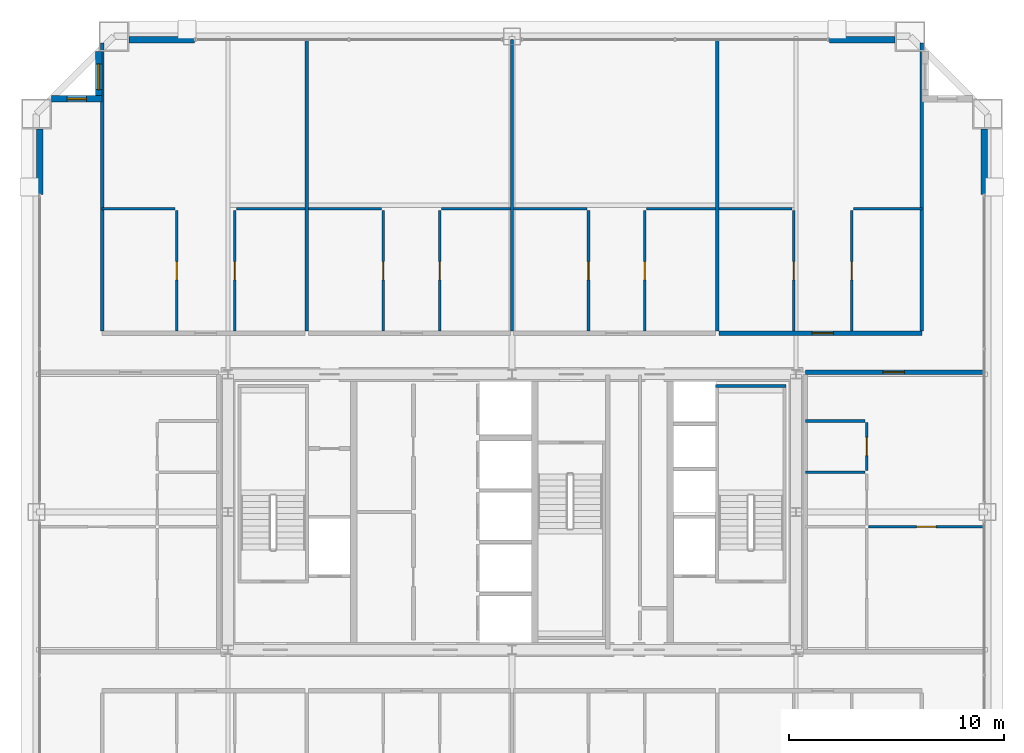
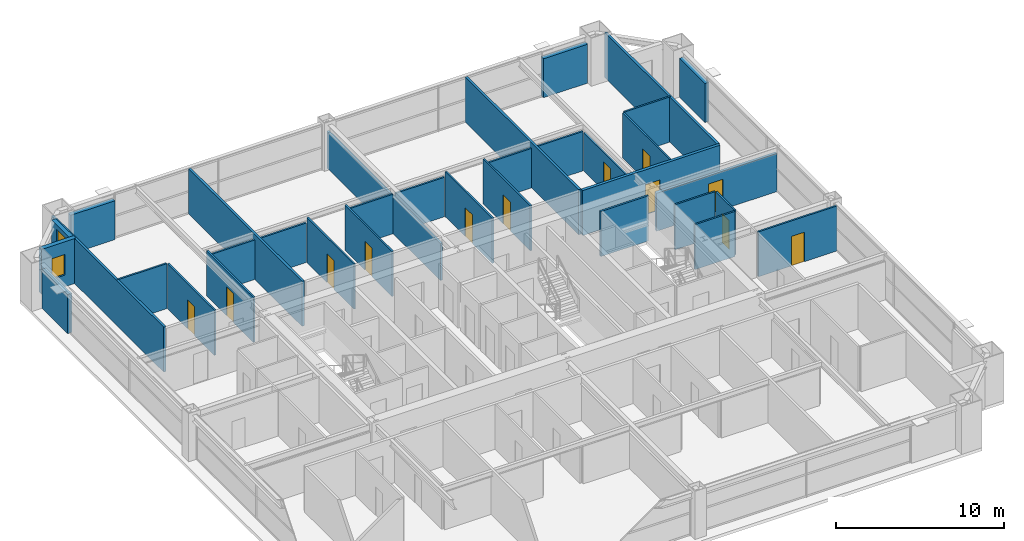
# One storey, part 36 of 38: 34 walls, 12 doors, 2 windows, 14 openings.
"""IFC4 building model written with IfcOpenShell, lengths in metres."""

from ifc_helpers import new_model, si_unit, direction, frame, frame_2d, origin, place, context, subcontext, project, spatial, rectangle, extrude, source, transform, mapped, material, layer, layer_set, type_object, element, fill, save


model = new_model("IFC4")

# Units and contexts
model_context = context("Model", 3, precision=1e-05, world=origin(), true_north=direction((0.0, 1.0)))
body_context = subcontext(model_context, "Body", "Model", "MODEL_VIEW")
ifc_project = project(units=[si_unit("LENGTHUNIT", "METRE"), si_unit("AREAUNIT", "SQUARE_METRE"), si_unit("VOLUMEUNIT", "CUBIC_METRE"), si_unit("PLANEANGLEUNIT", "RADIAN"), si_unit("MASSUNIT", "GRAM", prefix="KILO"), si_unit("THERMODYNAMICTEMPERATUREUNIT", "KELVIN"), si_unit("POWERUNIT", "WATT")], contexts=[model_context])

# Site, building, storey
site_placement = place(None, origin())
site = spatial("IfcSite", under=ifc_project, at=site_placement, CompositionType="ELEMENT")
building_placement = place(site_placement, origin())
building = spatial("IfcBuilding", under=site, at=building_placement, Name="Yuzanri Waterfront Tower", CompositionType="ELEMENT")
storey_placement = place(building_placement, frame((0.0, 0.0, 188.0)))
storey = spatial("IfcBuildingStorey", under=building, at=storey_placement, Name="L49", CompositionType="ELEMENT", Elevation=188.0)

# Wall, opening, door
ifc_material_1 = material(Name="Moisture-Resistant Gypsum Stud Wall", Category="gypsum")
ifc_layer_1 = layer(ifc_material_1, 0.1201171875)
ifc_layer_set_1 = layer_set([ifc_layer_1], Name="Moisture-Resistant Gypsum Stud Wall")
wall_type_1 = type_object("IfcWallType", Name="Bathroom and Kitchen Wet Partition 120", PredefinedType="PARTITIONING", material=ifc_layer_set_1)
wall_1_placement = place(storey_placement, frame((21.419921875, 34.2099609375, 0.0), z_axis=(0.0, 0.0, 1.0), x_axis=(0.0, 1.0, 0.0)))
wall_1 = element("IfcWall", 1, at=wall_1_placement, inside=storey, type_object=wall_type_1, Name="L49 Partition UW-L49-RN1-SUB-1-E", PredefinedType="PARTITIONING", context=body_context, shape_type="SweptSolid", body=[
    extrude(rectangle(XDim=5.610107421875, YDim=0.1201171875, at=frame_2d((2.80517578125, 0.0))), origin(), (0.0, 0.0, 1.0), 3.280029296875),
])
opening_1_placement = place(wall_1_placement, frame((2.3798828125, 0.0, 0.0)))
opening_1 = element("IfcOpeningElement", 2, at=opening_1_placement, cuts=wall_1, Name="Opening ID-0850", PredefinedType="OPENING", context=body_context, shape_type="SweptSolid", body=[
    extrude(rectangle(XDim=0.85009765625, YDim=2.10009765625, at=frame_2d((0.425048828125, 1.050048828125))), frame((0.0, 0.074951171875, 0.0), z_axis=(0.0, -1.0, 0.0), x_axis=(1.0, 0.0, 0.0)), (0.0, 0.0, 1.0), 0.14990234375),
])
ifc_material_2 = material(Name="Moisture-Resistant Lacquered Timber", Category="wood")
door_type_1 = type_object("IfcDoorType", Name="En-Suite Bathroom and Kitchen Swing Door 850x2100", OperationType="NOTDEFINED", PredefinedType="DOOR", material=ifc_material_2)
shared_shape_1 = source(origin(), body_context, "Body", "SweptSolid", [
    extrude(rectangle(XDim=0.85009765625, YDim=2.10009765625, at=frame_2d((0.425048828125, 1.050048828125))), frame((0.0, 0.02490234375, 0.0), z_axis=(0.0, -1.0, 0.0), x_axis=(1.0, 0.0, 0.0)), (0.0, 0.0, 1.0), 0.050048828125),
])
door_1_placement = place(opening_1_placement, origin())
door_1 = element("IfcDoor", 3, at=door_1_placement, inside=storey, type_object=door_type_1, Name="L49 Suite Interior Room Door", OperationType="SINGLE_SWING_LEFT", OverallHeight=2.10009765625, OverallWidth=0.85009765625, PredefinedType="DOOR", context=body_context, shape_type="MappedRepresentation", body=[
    mapped(shared_shape_1, transform((0.0, 0.0, 0.0), scale=1.0)),
])
fill(opening_1, door_1)

wall_2_placement = place(storey_placement, frame((24.110107421875, 34.2099609375, 0.0), z_axis=(0.0, 0.0, 1.0), x_axis=(0.0, 1.0, 0.0)))
wall_2 = element("IfcWall", 4, at=wall_2_placement, inside=storey, type_object=wall_type_1, Name="L49 Partition UW-L49-RN1-SUB-2-W", PredefinedType="PARTITIONING", context=body_context, shape_type="SweptSolid", body=[
    extrude(rectangle(XDim=5.610107421875, YDim=0.1201171875, at=frame_2d((2.80517578125, 0.0))), origin(), (0.0, 0.0, 1.0), 3.280029296875),
])
opening_2_placement = place(wall_2_placement, frame((2.3798828125, 0.0, 0.0)))
opening_2 = element("IfcOpeningElement", 5, at=opening_2_placement, cuts=wall_2, Name="Opening ID-0850", PredefinedType="OPENING", context=body_context, shape_type="SweptSolid", body=[
    extrude(rectangle(XDim=0.85009765625, YDim=2.10009765625, at=frame_2d((0.425048828125, 1.050048828125))), frame((0.0, 0.074951171875, 0.0), z_axis=(0.0, -1.0, 0.0), x_axis=(1.0, 0.0, 0.0)), (0.0, 0.0, 1.0), 0.14990234375),
])
door_2_placement = place(opening_2_placement, origin())
door_2 = element("IfcDoor", 6, at=door_2_placement, inside=storey, type_object=door_type_1, Name="L49 Suite Interior Room Door", OperationType="SINGLE_SWING_RIGHT", OverallHeight=2.10009765625, OverallWidth=0.85009765625, PredefinedType="DOOR", context=body_context, shape_type="MappedRepresentation", body=[
    mapped(shared_shape_1, transform((0.0, 0.0, 0.0), scale=1.0)),
])
fill(opening_2, door_2)

wall_3_placement = place(storey_placement, frame((31.02392578125, 34.2099609375, 0.0), z_axis=(0.0, 0.0, 1.0), x_axis=(0.0, 1.0, 0.0)))
wall_3 = element("IfcWall", 7, at=wall_3_placement, inside=storey, type_object=wall_type_1, Name="L49 Partition UW-L49-RN2-SUB-1-E", PredefinedType="PARTITIONING", context=body_context, shape_type="SweptSolid", body=[
    extrude(rectangle(XDim=5.610107421875, YDim=0.1201171875, at=frame_2d((2.80517578125, 0.0))), origin(), (0.0, 0.0, 1.0), 3.280029296875),
])
opening_3_placement = place(wall_3_placement, frame((2.3798828125, 0.0, 0.0)))
opening_3 = element("IfcOpeningElement", 8, at=opening_3_placement, cuts=wall_3, Name="Opening ID-0850", PredefinedType="OPENING", context=body_context, shape_type="SweptSolid", body=[
    extrude(rectangle(XDim=0.85009765625, YDim=2.10009765625, at=frame_2d((0.425048828125, 1.050048828125))), frame((0.0, 0.074951171875, 0.0), z_axis=(0.0, -1.0, 0.0), x_axis=(1.0, 0.0, 0.0)), (0.0, 0.0, 1.0), 0.14990234375),
])
door_3_placement = place(opening_3_placement, origin())
door_3 = element("IfcDoor", 9, at=door_3_placement, inside=storey, type_object=door_type_1, Name="L49 Suite Interior Room Door", OperationType="SINGLE_SWING_RIGHT", OverallHeight=2.10009765625, OverallWidth=0.85009765625, PredefinedType="DOOR", context=body_context, shape_type="MappedRepresentation", body=[
    mapped(shared_shape_1, transform((0.0, 0.0, 0.0), scale=1.0)),
])
fill(opening_3, door_3)

wall_4_placement = place(storey_placement, frame((33.639892578125, 34.2099609375, 0.0), z_axis=(0.0, 0.0, 1.0), x_axis=(0.0, 1.0, 0.0)))
wall_4 = element("IfcWall", 10, at=wall_4_placement, inside=storey, type_object=wall_type_1, Name="L49 Partition UW-L49-RN2-SUB-2-W", PredefinedType="PARTITIONING", context=body_context, shape_type="SweptSolid", body=[
    extrude(rectangle(XDim=5.610107421875, YDim=0.1201171875, at=frame_2d((2.80517578125, 0.0))), origin(), (0.0, 0.0, 1.0), 3.280029296875),
])
opening_4_placement = place(wall_4_placement, frame((2.3798828125, 0.0, 0.0)))
opening_4 = element("IfcOpeningElement", 11, at=opening_4_placement, cuts=wall_4, Name="Opening ID-0850", PredefinedType="OPENING", context=body_context, shape_type="SweptSolid", body=[
    extrude(rectangle(XDim=0.85009765625, YDim=2.10009765625, at=frame_2d((0.425048828125, 1.050048828125))), frame((0.0, 0.074951171875, 0.0), z_axis=(0.0, -1.0, 0.0), x_axis=(1.0, 0.0, 0.0)), (0.0, 0.0, 1.0), 0.14990234375),
])
door_4_placement = place(opening_4_placement, origin())
door_4 = element("IfcDoor", 12, at=door_4_placement, inside=storey, type_object=door_type_1, Name="L49 Suite Interior Room Door", OperationType="SINGLE_SWING_LEFT", OverallHeight=2.10009765625, OverallWidth=0.85009765625, PredefinedType="DOOR", context=body_context, shape_type="MappedRepresentation", body=[
    mapped(shared_shape_1, transform((0.0, 0.0, 0.0), scale=1.0)),
])
fill(opening_4, door_4)

wall_5_placement = place(storey_placement, frame((40.553955078125, 34.2099609375, 0.0), z_axis=(0.0, 0.0, 1.0), x_axis=(0.0, 1.0, 0.0)))
wall_5 = element("IfcWall", 13, at=wall_5_placement, inside=storey, type_object=wall_type_1, Name="L49 Partition UW-L49-RN3-SUB-1-E", PredefinedType="PARTITIONING", context=body_context, shape_type="SweptSolid", body=[
    extrude(rectangle(XDim=5.610107421875, YDim=0.1201171875, at=frame_2d((2.80517578125, 0.0))), origin(), (0.0, 0.0, 1.0), 3.280029296875),
])
opening_5_placement = place(wall_5_placement, frame((2.3798828125, 0.0, 0.0)))
opening_5 = element("IfcOpeningElement", 14, at=opening_5_placement, cuts=wall_5, Name="Opening ID-0850", PredefinedType="OPENING", context=body_context, shape_type="SweptSolid", body=[
    extrude(rectangle(XDim=0.85009765625, YDim=2.10009765625, at=frame_2d((0.425048828125, 1.050048828125))), frame((0.0, 0.074951171875, 0.0), z_axis=(0.0, -1.0, 0.0), x_axis=(1.0, 0.0, 0.0)), (0.0, 0.0, 1.0), 0.14990234375),
])
door_5_placement = place(opening_5_placement, origin())
door_5 = element("IfcDoor", 15, at=door_5_placement, inside=storey, type_object=door_type_1, Name="L49 Suite Interior Room Door", OperationType="SINGLE_SWING_LEFT", OverallHeight=2.10009765625, OverallWidth=0.85009765625, PredefinedType="DOOR", context=body_context, shape_type="MappedRepresentation", body=[
    mapped(shared_shape_1, transform((0.0, 0.0, 0.0), scale=1.0)),
])
fill(opening_5, door_5)

wall_6_placement = place(storey_placement, frame((43.169921875, 34.2099609375, 0.0), z_axis=(0.0, 0.0, 1.0), x_axis=(0.0, 1.0, 0.0)))
wall_6 = element("IfcWall", 16, at=wall_6_placement, inside=storey, type_object=wall_type_1, Name="L49 Partition UW-L49-RN3-SUB-2-W", PredefinedType="PARTITIONING", context=body_context, shape_type="SweptSolid", body=[
    extrude(rectangle(XDim=5.610107421875, YDim=0.1201171875, at=frame_2d((2.80517578125, 0.0))), origin(), (0.0, 0.0, 1.0), 3.280029296875),
])
opening_6_placement = place(wall_6_placement, frame((2.3798828125, 0.0, 0.0)))
opening_6 = element("IfcOpeningElement", 17, at=opening_6_placement, cuts=wall_6, Name="Opening ID-0850", PredefinedType="OPENING", context=body_context, shape_type="SweptSolid", body=[
    extrude(rectangle(XDim=0.85009765625, YDim=2.10009765625, at=frame_2d((0.425048828125, 1.050048828125))), frame((0.0, 0.074951171875, 0.0), z_axis=(0.0, -1.0, 0.0), x_axis=(1.0, 0.0, 0.0)), (0.0, 0.0, 1.0), 0.14990234375),
])
door_6_placement = place(opening_6_placement, origin())
door_6 = element("IfcDoor", 18, at=door_6_placement, inside=storey, type_object=door_type_1, Name="L49 Suite Interior Room Door", OperationType="SINGLE_SWING_RIGHT", OverallHeight=2.10009765625, OverallWidth=0.85009765625, PredefinedType="DOOR", context=body_context, shape_type="MappedRepresentation", body=[
    mapped(shared_shape_1, transform((0.0, 0.0, 0.0), scale=1.0)),
])
fill(opening_6, door_6)

wall_7_placement = place(storey_placement, frame((50.090087890625, 34.2099609375, 0.0), z_axis=(0.0, 0.0, 1.0), x_axis=(0.0, 1.0, 0.0)))
wall_7 = element("IfcWall", 19, at=wall_7_placement, inside=storey, type_object=wall_type_1, Name="L49 Partition UW-L49-RN4-SUB-1-E", PredefinedType="PARTITIONING", context=body_context, shape_type="SweptSolid", body=[
    extrude(rectangle(XDim=5.610107421875, YDim=0.1201171875, at=frame_2d((2.80517578125, 0.0))), origin(), (0.0, 0.0, 1.0), 2.77490234375),
])
opening_7_placement = place(wall_7_placement, frame((2.3798828125, 0.0, 0.0)))
opening_7 = element("IfcOpeningElement", 20, at=opening_7_placement, cuts=wall_7, Name="Opening ID-0850", PredefinedType="OPENING", context=body_context, shape_type="SweptSolid", body=[
    extrude(rectangle(XDim=0.85009765625, YDim=2.10009765625, at=frame_2d((0.425048828125, 1.050048828125))), frame((0.0, 0.074951171875, 0.0), z_axis=(0.0, -1.0, 0.0), x_axis=(1.0, 0.0, 0.0)), (0.0, 0.0, 1.0), 0.14990234375),
])
door_7_placement = place(opening_7_placement, origin())
door_7 = element("IfcDoor", 21, at=door_7_placement, inside=storey, type_object=door_type_1, Name="L49 Suite Interior Room Door", OperationType="SINGLE_SWING_RIGHT", OverallHeight=2.10009765625, OverallWidth=0.85009765625, PredefinedType="DOOR", context=body_context, shape_type="MappedRepresentation", body=[
    mapped(shared_shape_1, transform((0.0, 0.0, 0.0), scale=1.0)),
])
fill(opening_7, door_7)

wall_8_placement = place(storey_placement, frame((52.780029296875, 34.2099609375, 0.0), z_axis=(0.0, 0.0, 1.0), x_axis=(0.0, 1.0, 0.0)))
wall_8 = element("IfcWall", 22, at=wall_8_placement, inside=storey, type_object=wall_type_1, Name="L49 Partition UW-L49-RN4-SUB-2-W", PredefinedType="PARTITIONING", context=body_context, shape_type="SweptSolid", body=[
    extrude(rectangle(XDim=5.610107421875, YDim=0.1201171875, at=frame_2d((2.80517578125, 0.0))), origin(), (0.0, 0.0, 1.0), 3.280029296875),
])
opening_8_placement = place(wall_8_placement, frame((2.3798828125, 0.0, 0.0)))
opening_8 = element("IfcOpeningElement", 23, at=opening_8_placement, cuts=wall_8, Name="Opening ID-0850", PredefinedType="OPENING", context=body_context, shape_type="SweptSolid", body=[
    extrude(rectangle(XDim=0.85009765625, YDim=2.10009765625, at=frame_2d((0.425048828125, 1.050048828125))), frame((0.0, 0.074951171875, 0.0), z_axis=(0.0, -1.0, 0.0), x_axis=(1.0, 0.0, 0.0)), (0.0, 0.0, 1.0), 0.14990234375),
])
door_8_placement = place(opening_8_placement, origin())
door_8 = element("IfcDoor", 24, at=door_8_placement, inside=storey, type_object=door_type_1, Name="L49 Suite Interior Room Door", OperationType="SINGLE_SWING_LEFT", OverallHeight=2.10009765625, OverallWidth=0.85009765625, PredefinedType="DOOR", context=body_context, shape_type="MappedRepresentation", body=[
    mapped(shared_shape_1, transform((0.0, 0.0, 0.0), scale=1.0)),
])
fill(opening_8, door_8)

wall_9_placement = place(storey_placement, frame((53.47998046875, 27.73193359375, 0.0), z_axis=(0.0, 0.0, 1.0), x_axis=(0.0, 1.0, 0.0)))
wall_9 = element("IfcWall", 25, at=wall_9_placement, inside=storey, type_object=wall_type_1, Name="L49 Partition UW-L49-RE1-SUB-2-E", PredefinedType="PARTITIONING", context=body_context, shape_type="SweptSolid", body=[
    extrude(rectangle(XDim=2.218994140625, YDim=0.1201171875, at=frame_2d((1.109375, 0.0))), origin(), (0.0, 0.0, 1.0), 3.280029296875),
])
opening_9_placement = place(wall_9_placement, frame((0.6845703125, 0.0, 0.0)))
opening_9 = element("IfcOpeningElement", 26, at=opening_9_placement, cuts=wall_9, Name="Opening ID-0850", PredefinedType="OPENING", context=body_context, shape_type="SweptSolid", body=[
    extrude(rectangle(XDim=0.85009765625, YDim=2.10009765625, at=frame_2d((0.425048828125, 1.050048828125))), frame((0.0, 0.074951171875, 0.0), z_axis=(0.0, -1.0, 0.0), x_axis=(1.0, 0.0, 0.0)), (0.0, 0.0, 1.0), 0.14990234375),
])
door_9_placement = place(opening_9_placement, origin())
door_9 = element("IfcDoor", 27, at=door_9_placement, inside=storey, type_object=door_type_1, Name="L49 Suite Interior Room Door", OperationType="SINGLE_SWING_LEFT", OverallHeight=2.10009765625, OverallWidth=0.85009765625, PredefinedType="DOOR", context=body_context, shape_type="MappedRepresentation", body=[
    mapped(shared_shape_1, transform((0.0, 0.0, 0.0), scale=1.0)),
])
fill(opening_9, door_9)

wall_10_placement = place(storey_placement, frame((53.56005859375, 25.113037109375, 0.0), z_axis=(0.0, 0.0, 1.0), x_axis=(1.0, 0.0, 0.0)))
wall_10 = element("IfcWall", 28, at=wall_10_placement, inside=storey, type_object=wall_type_1, Name="L49 Partition UW-L49-RE1-SUB-3-N", PredefinedType="PARTITIONING", context=body_context, shape_type="SweptSolid", body=[
    extrude(rectangle(XDim=5.389892578125, YDim=0.1201171875, at=frame_2d((2.69482421875, 0.0))), origin(), (0.0, 0.0, 1.0), 3.280029296875),
])
opening_10_placement = place(wall_10_placement, frame((2.2451171875, 0.0, 0.0)))
opening_10 = element("IfcOpeningElement", 29, at=opening_10_placement, cuts=wall_10, Name="Opening ID-0900", PredefinedType="OPENING", context=body_context, shape_type="SweptSolid", body=[
    extrude(rectangle(XDim=0.89990234375, YDim=2.14990234375, at=frame_2d((0.449951171875, 1.074951171875))), frame((0.0, 0.074951171875, 0.0), z_axis=(0.0, -1.0, 0.0), x_axis=(1.0, 0.0, 0.0)), (0.0, 0.0, 1.0), 0.14990234375),
])
ifc_material_3 = material(Name="Stained Walnut Veneer Timber", Category="wood")
door_type_2 = type_object("IfcDoorType", Name="Bedroom and Study Interior Swing Door 900x2150", OperationType="NOTDEFINED", PredefinedType="DOOR", material=ifc_material_3)
shared_shape_2 = source(origin(), body_context, "Body", "SweptSolid", [
    extrude(rectangle(XDim=0.89990234375, YDim=2.14990234375, at=frame_2d((0.449951171875, 1.074951171875))), frame((0.0, 0.02490234375, 0.0), z_axis=(0.0, -1.0, 0.0), x_axis=(1.0, 0.0, 0.0)), (0.0, 0.0, 1.0), 0.050048828125),
])
door_10_placement = place(opening_10_placement, origin())
door_10 = element("IfcDoor", 30, at=door_10_placement, inside=storey, type_object=door_type_2, Name="L49 Suite Interior Room Door", OperationType="SINGLE_SWING_RIGHT", OverallHeight=2.14990234375, OverallWidth=0.89990234375, PredefinedType="DOOR", context=body_context, shape_type="MappedRepresentation", body=[
    mapped(shared_shape_2, transform((0.0, 0.0, 0.0), scale=1.0)),
])
fill(opening_10, door_10)

# Wall, opening, window
ifc_material_4 = material(Name="Honed Chongqing Dark Basalt Stone", Category="masonry")
ifc_layer_2 = layer(ifc_material_4, 0.300048828125)
ifc_layer_set_2 = layer_set([ifc_layer_2], Name="Honed Chongqing Dark Basalt Stone")
wall_type_2 = type_object("IfcWallType", Name="Bronze Rainscreen Insulated Spandrel Portal Wall 300", PredefinedType="SOLIDWALL", material=ifc_layer_set_2)
wall_11_placement = place(storey_placement, frame((17.949951171875, 45.0, 0.0), z_axis=(0.0, 0.0, 1.0), x_axis=(-1.0, 0.0, 0.0)))
wall_11 = element("IfcWall", 31, at=wall_11_placement, inside=storey, type_object=wall_type_2, Name="L49 Notched Corner Masonry Wall NW-X", PredefinedType="SOLIDWALL", context=body_context, shape_type="SweptSolid", body=[
    extrude(rectangle(XDim=2.349853515625, YDim=0.300048828125, at=frame_2d((1.1748046875, 0.0))), origin(), (0.0, 0.0, 1.0), 3.280029296875),
])
opening_11_placement = place(wall_11_placement, frame((0.72509765625, 0.0, 0.85009765625)))
opening_11 = element("IfcOpeningElement", 32, at=opening_11_placement, cuts=wall_11, Name="Opening WN-05", PredefinedType="OPENING", context=body_context, shape_type="SweptSolid", body=[
    extrude(rectangle(XDim=0.89990234375, YDim=1.5, at=frame_2d((0.449951171875, 0.75))), frame((0.0, 0.1650390625, 0.0), z_axis=(0.0, -1.0, 0.0), x_axis=(1.0, 0.0, 0.0)), (0.0, 0.0, 1.0), 0.329833984375),
])
ifc_material_5 = material(Name="Double-Silver Low-E Insulated Glass", Category="glass")
window_type_1 = type_object("IfcWindowType", Name="Anodized Bronze Service and Stairwell Smoke-Vent Window 900x1500", PartitioningType="SINGLE_PANEL", PredefinedType="WINDOW", material=ifc_material_5)
shared_shape_3 = source(origin(), body_context, "Body", "SweptSolid", [
    extrude(rectangle(XDim=0.89990234375, YDim=1.5, at=frame_2d((0.449951171875, 0.75))), frame((0.0, 0.030029296875, 0.0), z_axis=(0.0, -1.0, 0.0), x_axis=(1.0, 0.0, 0.0)), (0.0, 0.0, 1.0), 0.06005859375),
])
window_1_placement = place(opening_11_placement, origin())
window_1 = element("IfcWindow", 33, at=window_1_placement, inside=storey, type_object=window_type_1, Name="L49 Notched Corner Window NW-X", OverallHeight=1.5, OverallWidth=0.89990234375, PartitioningType="SINGLE_PANEL", PredefinedType="WINDOW", context=body_context, shape_type="MappedRepresentation", body=[
    mapped(shared_shape_3, transform((0.0, 0.0, 0.0), scale=1.0)),
])
fill(opening_11, window_1)

wall_12_placement = place(storey_placement, frame((17.800048828125, 47.199951171875, 0.0), z_axis=(0.0, 0.0, 1.0), x_axis=(0.0, -1.0, 0.0)))
wall_12 = element("IfcWall", 34, at=wall_12_placement, inside=storey, type_object=wall_type_2, Name="L49 Notched Corner Masonry Wall NW-Y", PredefinedType="SOLIDWALL", context=body_context, shape_type="SweptSolid", body=[
    extrude(rectangle(XDim=2.349853515625, YDim=0.300048828125, at=frame_2d((1.1748046875, 0.0))), origin(), (0.0, 0.0, 1.0), 3.280029296875),
])
opening_12_placement = place(wall_12_placement, frame((0.574951171875, 0.0, 0.85009765625)))
opening_12 = element("IfcOpeningElement", 35, at=opening_12_placement, cuts=wall_12, Name="Opening WN-02", PredefinedType="OPENING", context=body_context, shape_type="SweptSolid", body=[
    extrude(rectangle(XDim=1.199951171875, YDim=2.10009765625, at=frame_2d((0.60009765625, 1.050048828125))), frame((0.0, 0.1650390625, 0.0), z_axis=(0.0, -1.0, 0.0), x_axis=(1.0, 0.0, 0.0)), (0.0, 0.0, 1.0), 0.329833984375),
])
ifc_material_6 = material(Name="Double-Silver Low-E Insulated Glass", Category="glass")
window_type_2 = type_object("IfcWindowType", Name="Anodized Bronze Notched Corner Deep-Set Slot Window 1200x2100", PartitioningType="SINGLE_PANEL", PredefinedType="WINDOW", material=ifc_material_6)
shared_shape_4 = source(origin(), body_context, "Body", "SweptSolid", [
    extrude(rectangle(XDim=1.199951171875, YDim=2.10009765625, at=frame_2d((0.60009765625, 1.050048828125))), frame((0.0, 0.030029296875, 0.0), z_axis=(0.0, -1.0, 0.0), x_axis=(1.0, 0.0, 0.0)), (0.0, 0.0, 1.0), 0.06005859375),
])
window_2_placement = place(opening_12_placement, origin())
window_2 = element("IfcWindow", 36, at=window_2_placement, inside=storey, type_object=window_type_2, Name="L49 Notched Corner Window NW-Y", OverallHeight=2.10009765625, OverallWidth=1.199951171875, PartitioningType="SINGLE_PANEL", PredefinedType="WINDOW", context=body_context, shape_type="MappedRepresentation", body=[
    mapped(shared_shape_4, transform((0.0, 0.0, 0.0), scale=1.0)),
])
fill(opening_12, window_2)

# Wall, opening, door
ifc_material_7 = material(Name="Autoclaved Aerated Concrete Blockwork", Category="masonry")
ifc_layer_3 = layer(ifc_material_7, 0.199951171875)
ifc_layer_set_3 = layer_set([ifc_layer_3], Name="Autoclaved Aerated Concrete Blockwork")
wall_type_3 = type_object("IfcWallType", Name="Corridor and Unit Party Fire Wall 200", PredefinedType="PARTITIONING", material=ifc_layer_set_3)
wall_13_placement = place(storey_placement, frame((46.610107421875, 34.110107421875, 0.0), z_axis=(0.0, 0.0, 1.0), x_axis=(1.0, 0.0, 0.0)))
wall_13 = element("IfcWall", 37, at=wall_13_placement, inside=storey, type_object=wall_type_3, Name="L49 Partition UW-L49-RN4-CS", PredefinedType="PARTITIONING", context=body_context, shape_type="SweptSolid", body=[
    extrude(rectangle(XDim=9.449951171875, YDim=0.199951171875, at=frame_2d((4.72509765625, 0.0))), origin(), (0.0, 0.0, 1.0), 3.280029296875),
])
opening_13_placement = place(wall_13_placement, frame((4.324951171875, 0.0, 0.0)))
opening_13 = element("IfcOpeningElement", 38, at=opening_13_placement, cuts=wall_13, Name="Opening FD-1000", PredefinedType="OPENING", context=body_context, shape_type="SweptSolid", body=[
    extrude(rectangle(XDim=1.0, YDim=2.199951171875, at=frame_2d((0.5, 1.10009765625))), frame((0.0, 0.11474609375, 0.0), z_axis=(0.0, -1.0, 0.0), x_axis=(1.0, 0.0, 0.0)), (0.0, 0.0, 1.0), 0.229736328125),
])
ifc_material_8 = material(Name="Engineered Oak Fire-Rated Timber", Category="wood")
door_type_3 = type_object("IfcDoorType", Name="Guestroom and Apartment Entrance Fire Door 1000x2200", OperationType="NOTDEFINED", PredefinedType="DOOR", material=ifc_material_8)
shared_shape_5 = source(origin(), body_context, "Body", "SweptSolid", [
    extrude(rectangle(XDim=1.0, YDim=2.199951171875, at=frame_2d((0.5, 1.10009765625))), frame((0.0, 0.02490234375, 0.0), z_axis=(0.0, -1.0, 0.0), x_axis=(1.0, 0.0, 0.0)), (0.0, 0.0, 1.0), 0.050048828125),
])
door_11_placement = place(opening_13_placement, origin())
door_11 = element("IfcDoor", 39, at=door_11_placement, inside=storey, type_object=door_type_3, Name="L49 Studio Living and Sleeping Room Entrance Door", OperationType="SINGLE_SWING_LEFT", OverallHeight=2.199951171875, OverallWidth=1.0, PredefinedType="DOOR", context=body_context, shape_type="MappedRepresentation", body=[
    mapped(shared_shape_5, transform((0.0, 0.0, 0.0), scale=1.0)),
])
fill(opening_13, door_11)

wall_14_placement = place(storey_placement, frame((50.64990234375, 32.2900390625, 0.0), z_axis=(0.0, 0.0, 1.0), x_axis=(1.0, 0.0, 0.0)))
wall_14 = element("IfcWall", 40, at=wall_14_placement, inside=storey, type_object=wall_type_3, Name="L49 Partition UW-L49-RE1-CN", PredefinedType="PARTITIONING", context=body_context, shape_type="SweptSolid", body=[
    extrude(rectangle(XDim=8.300048828125, YDim=0.199951171875, at=frame_2d((4.14990234375, 0.0))), origin(), (0.0, 0.0, 1.0), 2.77490234375),
])
opening_14_placement = place(wall_14_placement, frame((3.5849609375, 0.0, 0.0)))
opening_14 = element("IfcOpeningElement", 41, at=opening_14_placement, cuts=wall_14, Name="Opening FD-1000", PredefinedType="OPENING", context=body_context, shape_type="SweptSolid", body=[
    extrude(rectangle(XDim=1.0, YDim=2.199951171875, at=frame_2d((0.5, 1.10009765625))), frame((0.0, 0.11474609375, 0.0), z_axis=(0.0, -1.0, 0.0), x_axis=(1.0, 0.0, 0.0)), (0.0, 0.0, 1.0), 0.229736328125),
])
door_12_placement = place(opening_14_placement, origin())
door_12 = element("IfcDoor", 42, at=door_12_placement, inside=storey, type_object=door_type_3, Name="L49 Wing Residence Living and Dining Room Entrance Door", OperationType="SINGLE_SWING_LEFT", OverallHeight=2.199951171875, OverallWidth=1.0, PredefinedType="DOOR", context=body_context, shape_type="MappedRepresentation", body=[
    mapped(shared_shape_5, transform((0.0, 0.0, 0.0), scale=1.0)),
])
fill(opening_14, door_12)

# Walls
shared_shape_6 = source(origin(), body_context, "Body", "SweptSolid", [
    extrude(rectangle(XDim=3.050048828125, YDim=0.300048828125, at=frame_2d((1.52490234375, 0.0))), origin(), (0.0, 0.0, 1.0), 2.8349609375),
])
for number, where, z_axis, x_axis, name in (
    (43, (19.199951171875, 47.75, 0.0), (0.0, 0.0, 1.0), (1.0, 0.0, 0.0), "L49 N Left Braced Masonry Shoulder"),
    (44, (51.75, 47.75, 0.0), (0.0, 0.0, 1.0), (1.0, 0.0, 0.0), "L49 N Right Braced Masonry Shoulder"),
    (45, (15.050048828125, 40.550048828125, 0.0), (0.0, 0.0, 1.0), (0.0, 1.0, 0.0), "L49 W Right Braced Masonry Shoulder"),
    (46, (58.949951171875, 40.550048828125, 0.0), (0.0, 0.0, 1.0), (0.0, 1.0, 0.0), "L49 E Right Braced Masonry Shoulder"),
):
    element("IfcWall", number, at=place(storey_placement, frame(where, z_axis=z_axis, x_axis=x_axis)), inside=storey, type_object=wall_type_2, Name=name, PredefinedType="SOLIDWALL", context=body_context, shape_type="MappedRepresentation", body=[
        mapped(shared_shape_6, transform((0.0, 0.0, 0.0), scale=1.0)),
    ])
ifc_material_9 = material(Name="Concrete C40", Category="concrete")
ifc_layer_4 = layer(ifc_material_9, 0.139892578125)
ifc_layer_set_4 = layer_set([ifc_layer_4], Name="Concrete C40")
wall_type_4 = type_object("IfcWallType", Name="Core Stair Liner and Hoistway Shaft Wall 140", PredefinedType="SOLIDWALL", material=ifc_layer_set_4)
shared_shape_7 = source(origin(), body_context, "Body", "SweptSolid", [
    extrude(rectangle(XDim=3.280029296875, YDim=0.139892578125, at=frame_2d((1.64013671875, 0.0))), origin(), (0.0, 0.0, 1.0), 3.280029296875),
])
wall_15_placement = place(storey_placement, frame((46.4599609375, 31.64990234375, 0.0), z_axis=(0.0, 0.0, 1.0), x_axis=(1.0, 0.0, 0.0)))
element("IfcWall", 47, at=wall_15_placement, inside=storey, type_object=wall_type_4, Name="L49 Stair ST-02 North Shaft Wall", PredefinedType="SOLIDWALL", context=body_context, shape_type="MappedRepresentation", body=[
    mapped(shared_shape_7, transform((0.0, 0.0, 0.0), scale=1.0)),
])
shared_shape_8 = source(origin(), body_context, "Body", "SweptSolid", [
    extrude(rectangle(XDim=3.400146484375, YDim=0.1201171875, at=frame_2d((1.7001953125, 0.0))), origin(), (0.0, 0.0, 1.0), 3.280029296875),
])
wall_16_placement = place(storey_placement, frame((17.93994140625, 39.89990234375, 0.0), z_axis=(0.0, 0.0, 1.0), x_axis=(1.0, 0.0, 0.0)))
element("IfcWall", 48, at=wall_16_placement, inside=storey, type_object=wall_type_1, Name="L49 Partition UW-L49-RN1-SUB-1-N", PredefinedType="PARTITIONING", context=body_context, shape_type="MappedRepresentation", body=[
    mapped(shared_shape_8, transform((0.0, 0.0, 0.0), scale=1.0)),
])
shared_shape_9 = source(origin(), body_context, "Body", "SweptSolid", [
    extrude(rectangle(XDim=3.199951171875, YDim=0.1201171875, at=frame_2d((1.60009765625, 0.0))), origin(), (0.0, 0.0, 1.0), 2.875),
])
for number, where, z_axis, x_axis, name in (
    (49, (24.18994140625, 39.89990234375, 0.0), (0.0, 0.0, 1.0), (1.0, 0.0, 0.0), "L49 Partition UW-L49-RN1-SUB-2-N"),
    (50, (33.719970703125, 39.89990234375, 0.0), (0.0, 0.0, 1.0), (1.0, 0.0, 0.0), "L49 Partition UW-L49-RN2-SUB-2-N"),
    (51, (43.25, 39.89990234375, 0.0), (0.0, 0.0, 1.0), (1.0, 0.0, 0.0), "L49 Partition UW-L49-RN3-SUB-2-N"),
):
    element("IfcWall", number, at=place(storey_placement, frame(where, z_axis=z_axis, x_axis=x_axis)), inside=storey, type_object=wall_type_1, Name=name, PredefinedType="PARTITIONING", context=body_context, shape_type="MappedRepresentation", body=[
        mapped(shared_shape_9, transform((0.0, 0.0, 0.0), scale=1.0)),
    ])
shared_shape_10 = source(origin(), body_context, "Body", "SweptSolid", [
    extrude(rectangle(XDim=3.39404296875, YDim=0.1201171875, at=frame_2d((1.697021484375, 0.0))), origin(), (0.0, 0.0, 1.0), 2.875),
])
for number, where, z_axis, x_axis, name in (
    (52, (27.550048828125, 39.89990234375, 0.0), (0.0, 0.0, 1.0), (1.0, 0.0, 0.0), "L49 Partition UW-L49-RN2-SUB-1-N"),
    (53, (37.080078125, 39.89990234375, 0.0), (0.0, 0.0, 1.0), (1.0, 0.0, 0.0), "L49 Partition UW-L49-RN3-SUB-1-N"),
):
    element("IfcWall", number, at=place(storey_placement, frame(where, z_axis=z_axis, x_axis=x_axis)), inside=storey, type_object=wall_type_1, Name=name, PredefinedType="PARTITIONING", context=body_context, shape_type="MappedRepresentation", body=[
        mapped(shared_shape_10, transform((0.0, 0.0, 0.0), scale=1.0)),
    ])
shared_shape_11 = source(origin(), body_context, "Body", "SweptSolid", [
    extrude(rectangle(XDim=3.39990234375, YDim=0.1201171875, at=frame_2d((1.699951171875, 0.0))), origin(), (0.0, 0.0, 1.0), 2.875),
])
wall_17_placement = place(storey_placement, frame((46.610107421875, 39.89990234375, 0.0), z_axis=(0.0, 0.0, 1.0), x_axis=(1.0, 0.0, 0.0)))
element("IfcWall", 54, at=wall_17_placement, inside=storey, type_object=wall_type_1, Name="L49 Partition UW-L49-RN4-SUB-1-N", PredefinedType="PARTITIONING", context=body_context, shape_type="MappedRepresentation", body=[
    mapped(shared_shape_11, transform((0.0, 0.0, 0.0), scale=1.0)),
])
shared_shape_12 = source(origin(), body_context, "Body", "SweptSolid", [
    extrude(rectangle(XDim=3.199951171875, YDim=0.1201171875, at=frame_2d((1.60009765625, 0.0))), origin(), (0.0, 0.0, 1.0), 3.280029296875),
])
wall_18_placement = place(storey_placement, frame((52.860107421875, 39.89990234375, 0.0), z_axis=(0.0, 0.0, 1.0), x_axis=(1.0, 0.0, 0.0)))
element("IfcWall", 55, at=wall_18_placement, inside=storey, type_object=wall_type_1, Name="L49 Partition UW-L49-RN4-SUB-2-N", PredefinedType="PARTITIONING", context=body_context, shape_type="MappedRepresentation", body=[
    mapped(shared_shape_12, transform((0.0, 0.0, 0.0), scale=1.0)),
])
ifc_material_10 = material(Name="Gypsum Fireboard Acoustic Stud Wall", Category="gypsum")
ifc_layer_5 = layer(ifc_material_10, 0.159912109375)
ifc_layer_set_5 = layer_set([ifc_layer_5], Name="Gypsum Fireboard Acoustic Stud Wall")
wall_type_5 = type_object("IfcWallType", Name="Acoustic Suite Demising Partition 160", PredefinedType="PARTITIONING", material=ifc_layer_set_5)
shared_shape_13 = source(origin(), body_context, "Body", "SweptSolid", [
    extrude(rectangle(XDim=13.5400390625, YDim=0.159912109375, at=frame_2d((6.77001953125, 0.0))), origin(), (0.0, 0.0, 1.0), 3.280029296875),
])
for number, where, z_axis, x_axis, name in (
    (56, (27.469970703125, 34.2099609375, 0.0), (0.0, 0.0, 1.0), (0.0, 1.0, 0.0), "L49-RN1 Party Wall"),
    (57, (46.530029296875, 34.2099609375, 0.0), (0.0, 0.0, 1.0), (0.0, 1.0, 0.0), "L49-RN3 Party Wall"),
):
    element("IfcWall", number, at=place(storey_placement, frame(where, z_axis=z_axis, x_axis=x_axis)), inside=storey, type_object=wall_type_5, Name=name, PredefinedType="PARTITIONING", context=body_context, shape_type="MappedRepresentation", body=[
        mapped(shared_shape_13, transform((0.0, 0.0, 0.0), scale=1.0)),
    ])
shared_shape_14 = source(origin(), body_context, "Body", "SweptSolid", [
    extrude(rectangle(XDim=13.5400390625, YDim=0.159912109375, at=frame_2d((6.77001953125, 0.0))), origin(), (0.0, 0.0, 1.0), 2.68701171875),
])
wall_19_placement = place(storey_placement, frame((37.0, 34.2099609375, 0.0), z_axis=(0.0, 0.0, 1.0), x_axis=(0.0, 1.0, 0.0)))
element("IfcWall", 58, at=wall_19_placement, inside=storey, type_object=wall_type_5, Name="L49-RN2 Party Wall", PredefinedType="PARTITIONING", context=body_context, shape_type="MappedRepresentation", body=[
    mapped(shared_shape_14, transform((0.0, 0.0, 0.0), scale=1.0)),
])
shared_shape_15 = source(origin(), body_context, "Body", "SweptSolid", [
    extrude(rectangle(XDim=13.39013671875, YDim=0.159912109375, at=frame_2d((6.695068359375, 0.0))), origin(), (0.0, 0.0, 1.0), 3.280029296875),
])
for number, where, z_axis, x_axis, name in (
    (59, (17.949951171875, 34.2099609375, 0.0), (0.0, 0.0, 1.0), (0.0, 1.0, 0.0), "L49 North Band West End Wall"),
    (60, (56.050048828125, 34.2099609375, 0.0), (0.0, 0.0, 1.0), (0.0, 1.0, 0.0), "L49 North Band East End Wall"),
):
    element("IfcWall", number, at=place(storey_placement, frame(where, z_axis=z_axis, x_axis=x_axis)), inside=storey, type_object=wall_type_5, Name=name, PredefinedType="PARTITIONING", context=body_context, shape_type="MappedRepresentation", body=[
        mapped(shared_shape_15, transform((0.0, 0.0, 0.0), scale=1.0)),
    ])
shared_shape_16 = source(origin(), body_context, "Body", "SweptSolid", [
    extrude(rectangle(XDim=2.75, YDim=0.1201171875, at=frame_2d((1.375, 0.0))), origin(), (0.0, 0.0, 1.0), 3.280029296875),
])
for number, where, z_axis, x_axis, name in (
    (61, (50.64990234375, 27.652099609375, 0.0), (0.0, 0.0, 1.0), (1.0, 0.0, 0.0), "L49 Partition UW-L49-RE1-SUB-1-N"),
    (62, (50.64990234375, 30.031005859375, 0.0), (0.0, 0.0, 1.0), (1.0, 0.0, 0.0), "L49 Partition UW-L49-RE1-SUB-2-N"),
):
    element("IfcWall", number, at=place(storey_placement, frame(where, z_axis=z_axis, x_axis=x_axis)), inside=storey, type_object=wall_type_1, Name=name, PredefinedType="PARTITIONING", context=body_context, shape_type="MappedRepresentation", body=[
        mapped(shared_shape_16, transform((0.0, 0.0, 0.0), scale=1.0)),
    ])

save(model, "model.ifc")
